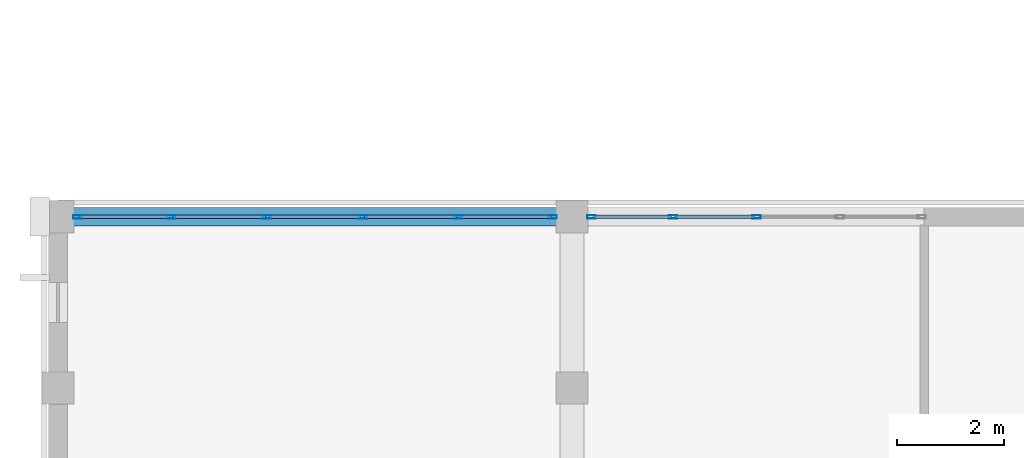
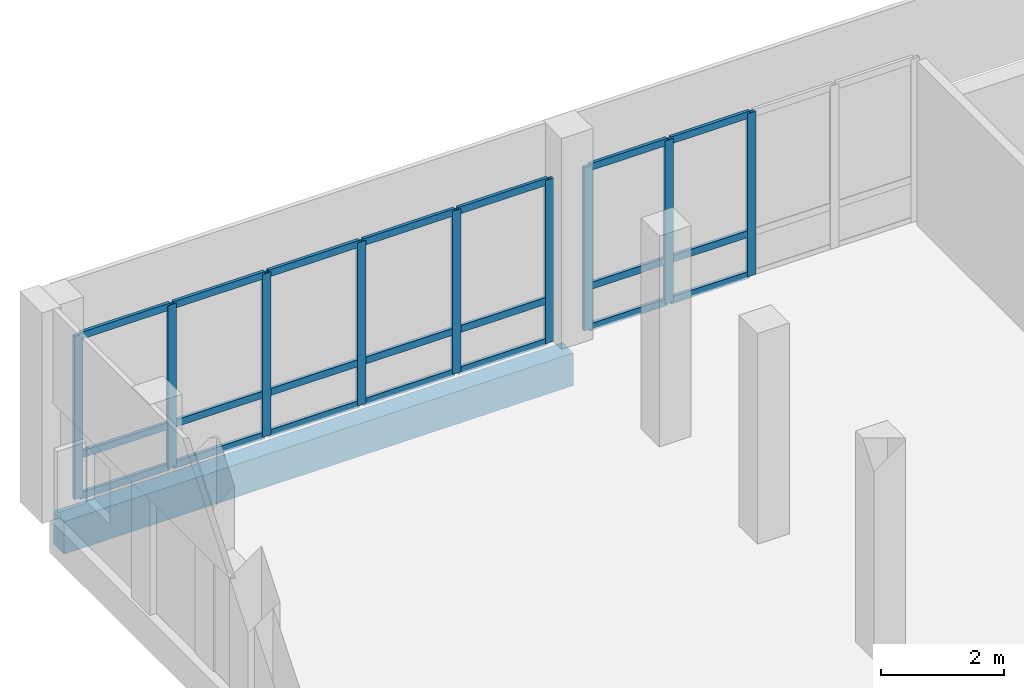
# One storey, part 19 of 93: 30 members, 1 beam, 2 elements without a shape of their own.
"""IFC4 building model written with IfcOpenShell, lengths in metres."""

from ifc_helpers import new_model, si_unit, direction, frame, origin, origin_2d, place, context, subcontext, project, spatial, rectangle, hollow_rectangle, extrude, material, material_profile, profile_set, type_object, element, aggregate, save


model = new_model("IFC4")

# Units and contexts
model_context = context("Model", 3, precision=1e-05, world=origin(), true_north=direction((0.0, 1.0)))
body_context = subcontext(model_context, "Body", "Model", "MODEL_VIEW")
ifc_project = project(units=[si_unit("LENGTHUNIT", "METRE"), si_unit("AREAUNIT", "SQUARE_METRE"), si_unit("VOLUMEUNIT", "CUBIC_METRE"), si_unit("PLANEANGLEUNIT", "RADIAN"), si_unit("MASSUNIT", "GRAM", prefix="KILO")], contexts=[model_context])

# Site, building, storey
site_placement = place(None, origin())
site = spatial("IfcSite", under=ifc_project, at=site_placement, CompositionType="ELEMENT")
building_placement = place(site_placement, origin())
building = spatial("IfcBuilding", under=site, at=building_placement, Name="Vondelvale Polytechnic", CompositionType="ELEMENT")
storey_placement = place(building_placement, frame((0.0, 0.0, 18.0)))
storey = spatial("IfcBuildingStorey", under=building, at=storey_placement, Name="L04", CompositionType="ELEMENT", Elevation=18.0)

# Curtain wall, members
ifc_material_1 = material(Name="Anodised extruded aluminium 6063-T6", Category="aluminium")
curtain_wall_type = type_object("IfcCurtainWallType", Name="CW-STUDIO-NORTH", PredefinedType="NOTDEFINED", material=ifc_material_1)
curtain_wall_1_placement = place(storey_placement, origin())
curtain_wall_1 = element("IfcCurtainWall", 1, at=curtain_wall_1_placement, inside=storey, type_object=curtain_wall_type, Name="L04 architectural curtain wall CW-01-037", PredefinedType="NOTDEFINED")
ifc_material_profile_1 = material_profile(ifc_material_1, hollow_rectangle(XDim=0.06494140625, YDim=0.159912109375, WallThickness=0.0048828125, at=origin_2d()), Name="CW-MUL-160x65")
ifc_profile_set_1 = profile_set([ifc_material_profile_1], Name="Anodised extruded aluminium 6063-T6")
member_type_1 = type_object("IfcMemberType", Name="CW-MUL-65x160", PredefinedType="MULLION", material=ifc_profile_set_1)
member_1_placement = place(storey_placement, frame((0.362548828125, 40.800048828125, 0.0), z_axis=(0.0, 0.0, 1.0), x_axis=(0.0, 1.0, 0.0)))
member_1 = element("IfcMember", 2, at=member_1_placement, type_object=member_type_1, Name="CW-01-037 mullion 1", PredefinedType="MULLION", context=body_context, shape_type="SweptSolid", body=[
    extrude(hollow_rectangle(XDim=0.06494140625, YDim=0.159912109375, WallThickness=0.0048828125, at=origin_2d()), origin(), (0.0, 0.0, 1.0), 3.25),
])
member_2_placement = place(storey_placement, frame((2.117919921875, 40.800048828125, 0.0), z_axis=(0.0, 0.0, 1.0), x_axis=(0.0, 1.0, 0.0)))
member_2 = element("IfcMember", 3, at=member_2_placement, type_object=member_type_1, Name="CW-01-037 mullion 2", PredefinedType="MULLION", context=body_context, shape_type="SweptSolid", body=[
    extrude(hollow_rectangle(XDim=0.06494140625, YDim=0.159912109375, WallThickness=0.0048828125, at=origin_2d()), origin(), (0.0, 0.0, 1.0), 3.25),
])
member_3_placement = place(storey_placement, frame((3.906005859375, 40.800048828125, 0.0), z_axis=(0.0, 0.0, 1.0), x_axis=(0.0, 1.0, 0.0)))
member_3 = element("IfcMember", 4, at=member_3_placement, type_object=member_type_1, Name="CW-01-037 mullion 3", PredefinedType="MULLION", context=body_context, shape_type="SweptSolid", body=[
    extrude(hollow_rectangle(XDim=0.06494140625, YDim=0.159912109375, WallThickness=0.0048828125, at=origin_2d()), origin(), (0.0, 0.0, 1.0), 3.25),
])
member_4_placement = place(storey_placement, frame((5.694091796875, 40.800048828125, 0.0), z_axis=(0.0, 0.0, 1.0), x_axis=(0.0, 1.0, 0.0)))
member_4 = element("IfcMember", 5, at=member_4_placement, type_object=member_type_1, Name="CW-01-037 mullion 4", PredefinedType="MULLION", context=body_context, shape_type="SweptSolid", body=[
    extrude(hollow_rectangle(XDim=0.06494140625, YDim=0.159912109375, WallThickness=0.0048828125, at=origin_2d()), origin(), (0.0, 0.0, 1.0), 3.25),
])
member_5_placement = place(storey_placement, frame((7.48193359375, 40.800048828125, 0.0), z_axis=(0.0, 0.0, 1.0), x_axis=(0.0, 1.0, 0.0)))
member_5 = element("IfcMember", 6, at=member_5_placement, type_object=member_type_1, Name="CW-01-037 mullion 5", PredefinedType="MULLION", context=body_context, shape_type="SweptSolid", body=[
    extrude(hollow_rectangle(XDim=0.06494140625, YDim=0.159912109375, WallThickness=0.0048828125, at=origin_2d()), origin(), (0.0, 0.0, 1.0), 3.25),
])
member_6_placement = place(storey_placement, frame((9.237548828125, 40.800048828125, 0.0), z_axis=(0.0, 0.0, 1.0), x_axis=(0.0, 1.0, 0.0)))
member_6 = element("IfcMember", 7, at=member_6_placement, type_object=member_type_1, Name="CW-01-037 mullion 6", PredefinedType="MULLION", context=body_context, shape_type="SweptSolid", body=[
    extrude(hollow_rectangle(XDim=0.06494140625, YDim=0.159912109375, WallThickness=0.0048828125, at=origin_2d()), origin(), (0.0, 0.0, 1.0), 3.25),
])

curtain_wall_2_placement = place(storey_placement, origin())
curtain_wall_2 = element("IfcCurtainWall", 8, at=curtain_wall_2_placement, inside=storey, type_object=curtain_wall_type, Name="L04 architectural curtain wall CW-01-038", PredefinedType="NOTDEFINED")
member_7_placement = place(storey_placement, frame((9.96240234375, 40.800048828125, 0.0), z_axis=(0.0, 0.0, 1.0), x_axis=(0.0, 1.0, 0.0)))
member_7 = element("IfcMember", 9, at=member_7_placement, type_object=member_type_1, Name="CW-01-038 mullion 1", PredefinedType="MULLION", context=body_context, shape_type="SweptSolid", body=[
    extrude(hollow_rectangle(XDim=0.06494140625, YDim=0.159912109375, WallThickness=0.0048828125, at=origin_2d()), origin(), (0.0, 0.0, 1.0), 3.25),
])
member_8_placement = place(storey_placement, frame((11.487548828125, 40.800048828125, 0.0), z_axis=(0.0, 0.0, 1.0), x_axis=(0.0, 1.0, 0.0)))
member_8 = element("IfcMember", 10, at=member_8_placement, type_object=member_type_1, Name="CW-01-038 mullion 2", PredefinedType="MULLION", context=body_context, shape_type="SweptSolid", body=[
    extrude(hollow_rectangle(XDim=0.06494140625, YDim=0.159912109375, WallThickness=0.0048828125, at=origin_2d()), origin(), (0.0, 0.0, 1.0), 3.25),
])
member_9_placement = place(storey_placement, frame((13.044921875, 40.800048828125, 0.0), z_axis=(0.0, 0.0, 1.0), x_axis=(0.0, 1.0, 0.0)))
member_9 = element("IfcMember", 11, at=member_9_placement, type_object=member_type_1, Name="CW-01-038 mullion 3", PredefinedType="MULLION", context=body_context, shape_type="SweptSolid", body=[
    extrude(hollow_rectangle(XDim=0.06494140625, YDim=0.159912109375, WallThickness=0.0048828125, at=origin_2d()), origin(), (0.0, 0.0, 1.0), 3.25),
])

# Member
ifc_material_profile_2 = material_profile(ifc_material_1, hollow_rectangle(XDim=0.06005859375, YDim=0.139892578125, WallThickness=0.00341796875, at=origin_2d()), Name="CW-TRN-140x60")
ifc_profile_set_2 = profile_set([ifc_material_profile_2], Name="Anodised extruded aluminium 6063-T6")
member_type_2 = type_object("IfcMemberType", Name="CW-TRN-60x140", PredefinedType="USERDEFINED", material=ifc_profile_set_2)
member_10_placement = place(storey_placement, frame((0.39501953125, 40.800048828125, 0.030029296875), z_axis=(1.0, 0.0, 0.0), x_axis=(0.0, 1.0, 0.0)))
member_10 = element("IfcMember", 12, at=member_10_placement, type_object=member_type_2, Name="CW-01-037 transom 1.1", ObjectType="TRANSOM", PredefinedType="USERDEFINED", context=body_context, shape_type="SweptSolid", body=[
    extrude(hollow_rectangle(XDim=0.06005859375, YDim=0.139892578125, WallThickness=0.00341796875, at=origin_2d()), origin(), (0.0, 0.0, 1.0), 1.6904296875),
])

member_11_placement = place(storey_placement, frame((0.39501953125, 40.800048828125, 0.85009765625), z_axis=(1.0, 0.0, 0.0), x_axis=(0.0, 1.0, 0.0)))
member_11 = element("IfcMember", 13, at=member_11_placement, type_object=member_type_2, Name="CW-01-037 transom 1.2", ObjectType="TRANSOM", PredefinedType="USERDEFINED", context=body_context, shape_type="SweptSolid", body=[
    extrude(hollow_rectangle(XDim=0.06005859375, YDim=0.139892578125, WallThickness=0.00341796875, at=origin_2d()), origin(), (0.0, 0.0, 1.0), 1.6904296875),
])

member_12_placement = place(storey_placement, frame((0.39501953125, 40.800048828125, 3.219970703125), z_axis=(1.0, 0.0, 0.0), x_axis=(0.0, 1.0, 0.0)))
member_12 = element("IfcMember", 14, at=member_12_placement, type_object=member_type_2, Name="CW-01-037 transom 1.3", ObjectType="TRANSOM", PredefinedType="USERDEFINED", context=body_context, shape_type="SweptSolid", body=[
    extrude(hollow_rectangle(XDim=0.06005859375, YDim=0.139892578125, WallThickness=0.00341796875, at=origin_2d()), origin(), (0.0, 0.0, 1.0), 1.6904296875),
])

member_13_placement = place(storey_placement, frame((2.150390625, 40.800048828125, 0.030029296875), z_axis=(1.0, 0.0, 0.0), x_axis=(0.0, 1.0, 0.0)))
member_13 = element("IfcMember", 15, at=member_13_placement, type_object=member_type_2, Name="CW-01-037 transom 2.1", ObjectType="TRANSOM", PredefinedType="USERDEFINED", context=body_context, shape_type="SweptSolid", body=[
    extrude(hollow_rectangle(XDim=0.06005859375, YDim=0.139892578125, WallThickness=0.00341796875, at=origin_2d()), origin(), (0.0, 0.0, 1.0), 1.72314453125),
])

member_14_placement = place(storey_placement, frame((2.150390625, 40.800048828125, 0.85009765625), z_axis=(1.0, 0.0, 0.0), x_axis=(0.0, 1.0, 0.0)))
member_14 = element("IfcMember", 16, at=member_14_placement, type_object=member_type_2, Name="CW-01-037 transom 2.2", ObjectType="TRANSOM", PredefinedType="USERDEFINED", context=body_context, shape_type="SweptSolid", body=[
    extrude(hollow_rectangle(XDim=0.06005859375, YDim=0.139892578125, WallThickness=0.00341796875, at=origin_2d()), origin(), (0.0, 0.0, 1.0), 1.72314453125),
])

member_15_placement = place(storey_placement, frame((2.150390625, 40.800048828125, 3.219970703125), z_axis=(1.0, 0.0, 0.0), x_axis=(0.0, 1.0, 0.0)))
member_15 = element("IfcMember", 17, at=member_15_placement, type_object=member_type_2, Name="CW-01-037 transom 2.3", ObjectType="TRANSOM", PredefinedType="USERDEFINED", context=body_context, shape_type="SweptSolid", body=[
    extrude(hollow_rectangle(XDim=0.06005859375, YDim=0.139892578125, WallThickness=0.00341796875, at=origin_2d()), origin(), (0.0, 0.0, 1.0), 1.72314453125),
])

member_16_placement = place(storey_placement, frame((3.9384765625, 40.800048828125, 0.030029296875), z_axis=(1.0, 0.0, 0.0), x_axis=(0.0, 1.0, 0.0)))
member_16 = element("IfcMember", 18, at=member_16_placement, type_object=member_type_2, Name="CW-01-037 transom 3.1", ObjectType="TRANSOM", PredefinedType="USERDEFINED", context=body_context, shape_type="SweptSolid", body=[
    extrude(hollow_rectangle(XDim=0.06005859375, YDim=0.139892578125, WallThickness=0.00341796875, at=origin_2d()), origin(), (0.0, 0.0, 1.0), 1.72314453125),
])

member_17_placement = place(storey_placement, frame((3.9384765625, 40.800048828125, 0.85009765625), z_axis=(1.0, 0.0, 0.0), x_axis=(0.0, 1.0, 0.0)))
member_17 = element("IfcMember", 19, at=member_17_placement, type_object=member_type_2, Name="CW-01-037 transom 3.2", ObjectType="TRANSOM", PredefinedType="USERDEFINED", context=body_context, shape_type="SweptSolid", body=[
    extrude(hollow_rectangle(XDim=0.06005859375, YDim=0.139892578125, WallThickness=0.00341796875, at=origin_2d()), origin(), (0.0, 0.0, 1.0), 1.72314453125),
])

member_18_placement = place(storey_placement, frame((3.9384765625, 40.800048828125, 3.219970703125), z_axis=(1.0, 0.0, 0.0), x_axis=(0.0, 1.0, 0.0)))
member_18 = element("IfcMember", 20, at=member_18_placement, type_object=member_type_2, Name="CW-01-037 transom 3.3", ObjectType="TRANSOM", PredefinedType="USERDEFINED", context=body_context, shape_type="SweptSolid", body=[
    extrude(hollow_rectangle(XDim=0.06005859375, YDim=0.139892578125, WallThickness=0.00341796875, at=origin_2d()), origin(), (0.0, 0.0, 1.0), 1.72314453125),
])

member_19_placement = place(storey_placement, frame((5.7265625, 40.800048828125, 0.030029296875), z_axis=(1.0, 0.0, 0.0), x_axis=(0.0, 1.0, 0.0)))
member_19 = element("IfcMember", 21, at=member_19_placement, type_object=member_type_2, Name="CW-01-037 transom 4.1", ObjectType="TRANSOM", PredefinedType="USERDEFINED", context=body_context, shape_type="SweptSolid", body=[
    extrude(hollow_rectangle(XDim=0.06005859375, YDim=0.139892578125, WallThickness=0.00341796875, at=origin_2d()), origin(), (0.0, 0.0, 1.0), 1.722900390625),
])

member_20_placement = place(storey_placement, frame((5.7265625, 40.800048828125, 0.85009765625), z_axis=(1.0, 0.0, 0.0), x_axis=(0.0, 1.0, 0.0)))
member_20 = element("IfcMember", 22, at=member_20_placement, type_object=member_type_2, Name="CW-01-037 transom 4.2", ObjectType="TRANSOM", PredefinedType="USERDEFINED", context=body_context, shape_type="SweptSolid", body=[
    extrude(hollow_rectangle(XDim=0.06005859375, YDim=0.139892578125, WallThickness=0.00341796875, at=origin_2d()), origin(), (0.0, 0.0, 1.0), 1.722900390625),
])

member_21_placement = place(storey_placement, frame((5.7265625, 40.800048828125, 3.219970703125), z_axis=(1.0, 0.0, 0.0), x_axis=(0.0, 1.0, 0.0)))
member_21 = element("IfcMember", 23, at=member_21_placement, type_object=member_type_2, Name="CW-01-037 transom 4.3", ObjectType="TRANSOM", PredefinedType="USERDEFINED", context=body_context, shape_type="SweptSolid", body=[
    extrude(hollow_rectangle(XDim=0.06005859375, YDim=0.139892578125, WallThickness=0.00341796875, at=origin_2d()), origin(), (0.0, 0.0, 1.0), 1.722900390625),
])

member_22_placement = place(storey_placement, frame((7.514404296875, 40.800048828125, 0.030029296875), z_axis=(1.0, 0.0, 0.0), x_axis=(0.0, 1.0, 0.0)))
member_22 = element("IfcMember", 24, at=member_22_placement, type_object=member_type_2, Name="CW-01-037 transom 5.1", ObjectType="TRANSOM", PredefinedType="USERDEFINED", context=body_context, shape_type="SweptSolid", body=[
    extrude(hollow_rectangle(XDim=0.06005859375, YDim=0.139892578125, WallThickness=0.00341796875, at=origin_2d()), origin(), (0.0, 0.0, 1.0), 1.690673828125),
])

member_23_placement = place(storey_placement, frame((7.514404296875, 40.800048828125, 0.85009765625), z_axis=(1.0, 0.0, 0.0), x_axis=(0.0, 1.0, 0.0)))
member_23 = element("IfcMember", 25, at=member_23_placement, type_object=member_type_2, Name="CW-01-037 transom 5.2", ObjectType="TRANSOM", PredefinedType="USERDEFINED", context=body_context, shape_type="SweptSolid", body=[
    extrude(hollow_rectangle(XDim=0.06005859375, YDim=0.139892578125, WallThickness=0.00341796875, at=origin_2d()), origin(), (0.0, 0.0, 1.0), 1.690673828125),
])

member_24_placement = place(storey_placement, frame((7.514404296875, 40.800048828125, 3.219970703125), z_axis=(1.0, 0.0, 0.0), x_axis=(0.0, 1.0, 0.0)))
member_24 = element("IfcMember", 26, at=member_24_placement, type_object=member_type_2, Name="CW-01-037 transom 5.3", ObjectType="TRANSOM", PredefinedType="USERDEFINED", context=body_context, shape_type="SweptSolid", body=[
    extrude(hollow_rectangle(XDim=0.06005859375, YDim=0.139892578125, WallThickness=0.00341796875, at=origin_2d()), origin(), (0.0, 0.0, 1.0), 1.690673828125),
])

aggregate(curtain_wall_1, [member_1, member_2, member_3, member_4, member_5, member_6, member_10, member_11, member_12, member_13, member_14, member_15, member_16, member_17, member_18, member_19, member_20, member_21, member_22, member_23, member_24])

member_25_placement = place(storey_placement, frame((9.9951171875, 40.800048828125, 0.030029296875), z_axis=(1.0, 0.0, 0.0), x_axis=(0.0, 1.0, 0.0)))
member_25 = element("IfcMember", 27, at=member_25_placement, type_object=member_type_2, Name="CW-01-038 transom 1.1", ObjectType="TRANSOM", PredefinedType="USERDEFINED", context=body_context, shape_type="SweptSolid", body=[
    extrude(hollow_rectangle(XDim=0.06005859375, YDim=0.139892578125, WallThickness=0.00341796875, at=origin_2d()), origin(), (0.0, 0.0, 1.0), 1.4599609375),
])

member_26_placement = place(storey_placement, frame((9.9951171875, 40.800048828125, 0.85009765625), z_axis=(1.0, 0.0, 0.0), x_axis=(0.0, 1.0, 0.0)))
member_26 = element("IfcMember", 28, at=member_26_placement, type_object=member_type_2, Name="CW-01-038 transom 1.2", ObjectType="TRANSOM", PredefinedType="USERDEFINED", context=body_context, shape_type="SweptSolid", body=[
    extrude(hollow_rectangle(XDim=0.06005859375, YDim=0.139892578125, WallThickness=0.00341796875, at=origin_2d()), origin(), (0.0, 0.0, 1.0), 1.4599609375),
])

member_27_placement = place(storey_placement, frame((9.9951171875, 40.800048828125, 3.219970703125), z_axis=(1.0, 0.0, 0.0), x_axis=(0.0, 1.0, 0.0)))
member_27 = element("IfcMember", 29, at=member_27_placement, type_object=member_type_2, Name="CW-01-038 transom 1.3", ObjectType="TRANSOM", PredefinedType="USERDEFINED", context=body_context, shape_type="SweptSolid", body=[
    extrude(hollow_rectangle(XDim=0.06005859375, YDim=0.139892578125, WallThickness=0.00341796875, at=origin_2d()), origin(), (0.0, 0.0, 1.0), 1.4599609375),
])

member_28_placement = place(storey_placement, frame((11.52001953125, 40.800048828125, 0.030029296875), z_axis=(1.0, 0.0, 0.0), x_axis=(0.0, 1.0, 0.0)))
member_28 = element("IfcMember", 30, at=member_28_placement, type_object=member_type_2, Name="CW-01-038 transom 2.1", ObjectType="TRANSOM", PredefinedType="USERDEFINED", context=body_context, shape_type="SweptSolid", body=[
    extrude(hollow_rectangle(XDim=0.06005859375, YDim=0.139892578125, WallThickness=0.00341796875, at=origin_2d()), origin(), (0.0, 0.0, 1.0), 1.492431640625),
])

member_29_placement = place(storey_placement, frame((11.52001953125, 40.800048828125, 0.85009765625), z_axis=(1.0, 0.0, 0.0), x_axis=(0.0, 1.0, 0.0)))
member_29 = element("IfcMember", 31, at=member_29_placement, type_object=member_type_2, Name="CW-01-038 transom 2.2", ObjectType="TRANSOM", PredefinedType="USERDEFINED", context=body_context, shape_type="SweptSolid", body=[
    extrude(hollow_rectangle(XDim=0.06005859375, YDim=0.139892578125, WallThickness=0.00341796875, at=origin_2d()), origin(), (0.0, 0.0, 1.0), 1.492431640625),
])

member_30_placement = place(storey_placement, frame((11.52001953125, 40.800048828125, 3.219970703125), z_axis=(1.0, 0.0, 0.0), x_axis=(0.0, 1.0, 0.0)))
member_30 = element("IfcMember", 32, at=member_30_placement, type_object=member_type_2, Name="CW-01-038 transom 2.3", ObjectType="TRANSOM", PredefinedType="USERDEFINED", context=body_context, shape_type="SweptSolid", body=[
    extrude(hollow_rectangle(XDim=0.06005859375, YDim=0.139892578125, WallThickness=0.00341796875, at=origin_2d()), origin(), (0.0, 0.0, 1.0), 1.492431640625),
])

aggregate(curtain_wall_2, [member_7, member_8, member_9, member_25, member_26, member_27, member_28, member_29, member_30])

# Beam
ifc_material_2 = material(Name="Precast concrete N40 (f'c = 40 MPa)", Category="concrete")
ifc_material_profile_3 = material_profile(ifc_material_2, rectangle(XDim=0.35009765625, YDim=0.64990234375, at=origin_2d()), Name="RC-SPN-350x650")
ifc_profile_set_3 = profile_set([ifc_material_profile_3], Name="Precast concrete N40 (f'c = 40 MPa)")
beam_type = type_object("IfcBeamType", Name="SPN-PRE350x650", PredefinedType="SPANDREL", material=ifc_profile_set_3)
beam_placement = place(storey_placement, frame((0.0, 40.800048828125, -0.574951171875), z_axis=(1.0, 0.0, 0.0), x_axis=(0.0, 1.0, 0.0)))
element("IfcBeam", 33, at=beam_placement, inside=storey, type_object=beam_type, Name="L04 B SP-02", PredefinedType="SPANDREL", context=body_context, shape_type="SweptSolid", body=[
    extrude(rectangle(XDim=0.35009765625, YDim=0.64990234375, at=origin_2d()), origin(), (0.0, 0.0, 1.0), 9.60009765625),
])

save(model, "model.ifc")
